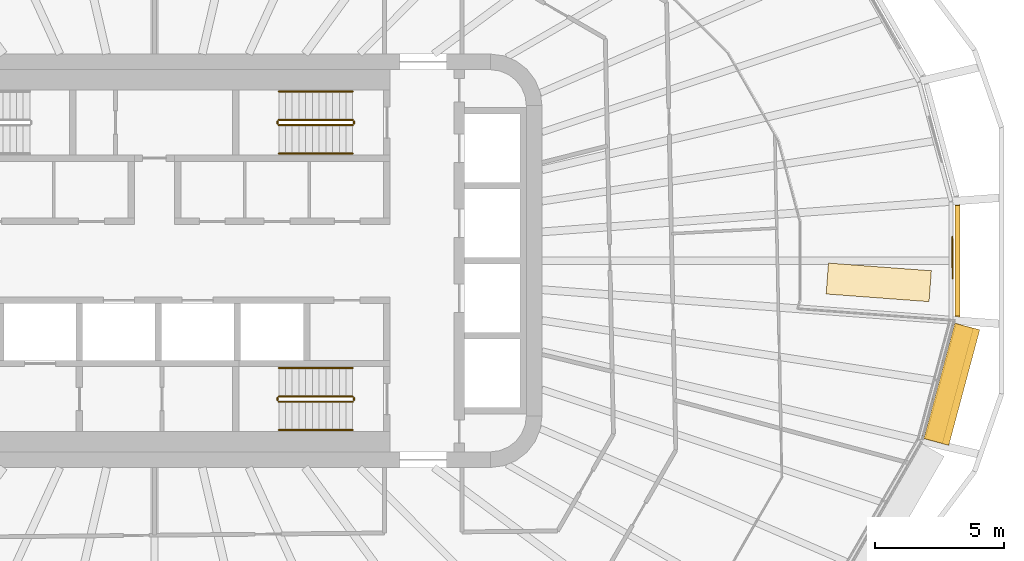
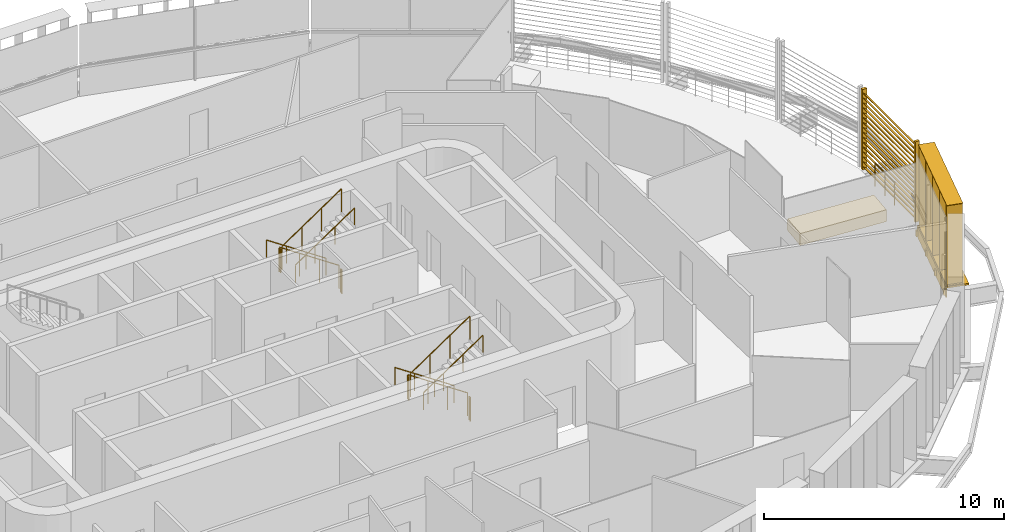
# One storey, part 22 of 24: 13 railings, 3 shading devices, 1 covering.
"""IFC4 building model written with IfcOpenShell, lengths in metres."""

from ifc_helpers import new_model, si_unit, direction, frame, origin, origin_2d, place, context, subcontext, project, spatial, rectangle, circle, extrude, material, type_object, element, save


model = new_model("IFC4")

# Units and contexts
model_context = context("Model", 3, precision=1e-05, world=origin(), true_north=direction((0.0, 1.0)))
body_context = subcontext(model_context, "Body", "Model", "MODEL_VIEW")
ifc_project = project(units=[si_unit("LENGTHUNIT", "METRE"), si_unit("AREAUNIT", "SQUARE_METRE"), si_unit("VOLUMEUNIT", "CUBIC_METRE"), si_unit("PLANEANGLEUNIT", "RADIAN"), si_unit("MASSUNIT", "GRAM", prefix="KILO")], contexts=[model_context])

# Site, building, storey
site_placement = place(None, origin())
site = spatial("IfcSite", under=ifc_project, at=site_placement, CompositionType="ELEMENT")
building_placement = place(site_placement, origin())
building = spatial("IfcBuilding", under=site, at=building_placement, Name="Sahrelin Media Tower", CompositionType="ELEMENT")
storey_placement = place(building_placement, frame((0.0, 0.0, 67.199951171875)))
storey = spatial("IfcBuildingStorey", under=building, at=storey_placement, Name="L11", CompositionType="ELEMENT", Elevation=67.199951171875)

# Shading devices
ifc_material_1 = material(Name="Champagne anodised aluminium 6063-T6", Category="aluminium")
shading_device_type_1 = type_object("IfcShadingDeviceType", Name="Fin cassette", PredefinedType="USERDEFINED", material=ifc_material_1)
placement = place(storey_placement, frame((30.3544921875, -4.642333984375, 0.0), z_axis=(0.0, 0.0, 1.0), x_axis=(-0.258807731996, -0.965928857556, 0.0)))
element("IfcShadingDevice", 1, at=placement, inside=storey, type_object=shading_device_type_1, Name="L11:FIN:L11-23", ObjectType="FIN", PredefinedType="USERDEFINED", context=body_context, shape_type="SweptSolid", body=[
    extrude(rectangle(XDim=4.60009765625, YDim=0.699951171875, at=origin_2d()), frame((0.0, 0.419921875, 0.0)), (0.0, 0.0, 1.0), 0.02001953125),
    extrude(rectangle(XDim=4.60009765625, YDim=0.699951171875, at=origin_2d()), frame((0.0, 0.419921875, 4.10009765625)), (0.0, 0.0, 1.0), 0.02001953125),
    extrude(rectangle(XDim=0.02001953125, YDim=0.699951171875, at=origin_2d()), frame((-2.199951171875, 0.419921875, 0.010009765625), z_axis=(0.0, 0.0, 1.0), x_axis=(1.0, 0.0, 0.0)), (0.0, 0.0, 1.0), 4.10009765625),
    extrude(rectangle(XDim=0.02001953125, YDim=0.699951171875, at=origin_2d()), frame((-1.10009765625, 0.419921875, 0.010009765625), z_axis=(0.0, 0.0, 1.0), x_axis=(1.0, 0.0, 0.0)), (0.0, 0.0, 1.0), 4.10009765625),
    extrude(rectangle(XDim=0.02001953125, YDim=0.699951171875, at=origin_2d()), frame((0.0, 0.419921875, 0.010009765625), z_axis=(0.0, 0.0, 1.0), x_axis=(1.0, 0.0, 0.0)), (0.0, 0.0, 1.0), 4.10009765625),
    extrude(rectangle(XDim=0.02001953125, YDim=0.699951171875, at=origin_2d()), frame((1.10009765625, 0.419921875, 0.010009765625), z_axis=(0.0, 0.0, 1.0), x_axis=(1.0, 0.0, 0.0)), (0.0, 0.0, 1.0), 4.10009765625),
    extrude(rectangle(XDim=0.02001953125, YDim=0.699951171875, at=origin_2d()), frame((2.199951171875, 0.419921875, 0.010009765625), z_axis=(0.0, 0.0, 1.0), x_axis=(1.0, 0.0, 0.0)), (0.0, 0.0, 1.0), 4.10009765625),
])
shading_device_type_2 = type_object("IfcShadingDeviceType", Name="Garden screen", PredefinedType="USERDEFINED", material=ifc_material_1)
shading_device_2_placement = place(storey_placement, frame((30.979736328125, 0.0, 0.0), z_axis=(0.0, 0.0, 1.0), x_axis=(0.0, -1.0, 0.0)))
element("IfcShadingDevice", 2, at=shading_device_2_placement, inside=storey, type_object=shading_device_type_2, Name="L11:SCREEN:L11-00", ObjectType="SCREEN", PredefinedType="USERDEFINED", context=body_context, shape_type="SweptSolid", body=[
    extrude(rectangle(XDim=0.1201171875, YDim=0.199951171875, at=origin_2d()), frame((2.19921875, 0.10009765625, 0.050048828125), z_axis=(0.0, 0.0, 1.0), x_axis=(1.0, 0.0, 0.0)), (0.0, 0.0, 1.0), 4.099853515625),
    extrude(rectangle(XDim=0.1201171875, YDim=0.199951171875, at=origin_2d()), frame((-2.19921875, 0.10009765625, 0.050048828125), z_axis=(0.0, 0.0, 1.0), x_axis=(1.0, 0.0, 0.0)), (0.0, 0.0, 1.0), 4.099853515625),
    extrude(rectangle(XDim=0.25, YDim=0.02001953125, at=origin_2d()), frame((2.139404296875, 0.10009765625, 0.14990234375), z_axis=(-1.0, 0.0, 0.0), x_axis=(0.0, -0.766044443119, 0.642787609687)), (0.0, 0.0, 1.0), 4.27880859375),
    extrude(rectangle(XDim=0.25, YDim=0.02001953125, at=origin_2d()), frame((2.139404296875, 0.10009765625, 0.39990234375), z_axis=(-1.0, 0.0, 0.0), x_axis=(0.0, -0.766044443119, 0.642787609687)), (0.0, 0.0, 1.0), 4.27880859375),
    extrude(rectangle(XDim=0.25, YDim=0.02001953125, at=origin_2d()), frame((2.139404296875, 0.10009765625, 0.64990234375), z_axis=(-1.0, 0.0, 0.0), x_axis=(0.0, -0.766044443119, 0.642787609687)), (0.0, 0.0, 1.0), 4.27880859375),
    extrude(rectangle(XDim=0.25, YDim=0.02001953125, at=origin_2d()), frame((2.139404296875, 0.10009765625, 0.89990234375), z_axis=(-1.0, 0.0, 0.0), x_axis=(0.0, -0.766044443119, 0.642787609687)), (0.0, 0.0, 1.0), 4.27880859375),
    extrude(rectangle(XDim=0.25, YDim=0.02001953125, at=origin_2d()), frame((2.139404296875, 0.10009765625, 1.14990234375), z_axis=(-1.0, 0.0, 0.0), x_axis=(0.0, -0.766044443119, 0.642787609687)), (0.0, 0.0, 1.0), 4.27880859375),
    extrude(rectangle(XDim=0.25, YDim=0.02001953125, at=origin_2d()), frame((2.139404296875, 0.10009765625, 1.39990234375), z_axis=(-1.0, 0.0, 0.0), x_axis=(0.0, -0.766044443119, 0.642787609687)), (0.0, 0.0, 1.0), 4.27880859375),
    extrude(rectangle(XDim=0.25, YDim=0.02001953125, at=origin_2d()), frame((2.139404296875, 0.10009765625, 1.64990234375), z_axis=(-1.0, 0.0, 0.0), x_axis=(0.0, -0.766044443119, 0.642787609687)), (0.0, 0.0, 1.0), 4.27880859375),
    extrude(rectangle(XDim=0.25, YDim=0.02001953125, at=origin_2d()), frame((2.139404296875, 0.10009765625, 1.89990234375), z_axis=(-1.0, 0.0, 0.0), x_axis=(0.0, -0.766044443119, 0.642787609687)), (0.0, 0.0, 1.0), 4.27880859375),
    extrude(rectangle(XDim=0.25, YDim=0.02001953125, at=origin_2d()), frame((2.139404296875, 0.10009765625, 2.14990234375), z_axis=(-1.0, 0.0, 0.0), x_axis=(0.0, -0.766044443119, 0.642787609687)), (0.0, 0.0, 1.0), 4.27880859375),
    extrude(rectangle(XDim=0.25, YDim=0.02001953125, at=origin_2d()), frame((2.139404296875, 0.10009765625, 2.39990234375), z_axis=(-1.0, 0.0, 0.0), x_axis=(0.0, -0.766044443119, 0.642787609687)), (0.0, 0.0, 1.0), 4.27880859375),
    extrude(rectangle(XDim=0.25, YDim=0.02001953125, at=origin_2d()), frame((2.139404296875, 0.10009765625, 2.64990234375), z_axis=(-1.0, 0.0, 0.0), x_axis=(0.0, -0.766044443119, 0.642787609687)), (0.0, 0.0, 1.0), 4.27880859375),
    extrude(rectangle(XDim=0.25, YDim=0.02001953125, at=origin_2d()), frame((2.139404296875, 0.10009765625, 2.89990234375), z_axis=(-1.0, 0.0, 0.0), x_axis=(0.0, -0.766044443119, 0.642787609687)), (0.0, 0.0, 1.0), 4.27880859375),
    extrude(rectangle(XDim=0.25, YDim=0.02001953125, at=origin_2d()), frame((2.139404296875, 0.10009765625, 3.14990234375), z_axis=(-1.0, 0.0, 0.0), x_axis=(0.0, -0.766044443119, 0.642787609687)), (0.0, 0.0, 1.0), 4.27880859375),
    extrude(rectangle(XDim=0.25, YDim=0.02001953125, at=origin_2d()), frame((2.139404296875, 0.10009765625, 3.39990234375), z_axis=(-1.0, 0.0, 0.0), x_axis=(0.0, -0.766044443119, 0.642787609687)), (0.0, 0.0, 1.0), 4.27880859375),
    extrude(rectangle(XDim=0.25, YDim=0.02001953125, at=origin_2d()), frame((2.139404296875, 0.10009765625, 3.64990234375), z_axis=(-1.0, 0.0, 0.0), x_axis=(0.0, -0.766044443119, 0.642787609687)), (0.0, 0.0, 1.0), 4.27880859375),
    extrude(rectangle(XDim=0.25, YDim=0.02001953125, at=origin_2d()), frame((2.139404296875, 0.10009765625, 3.89990234375), z_axis=(-1.0, 0.0, 0.0), x_axis=(0.0, -0.766044443119, 0.642787609687)), (0.0, 0.0, 1.0), 4.27880859375),
])

# Railing
ifc_material_2 = material(Name="Stainless steel 316", Category="steel")
railing_type_1 = type_object("IfcRailingType", Name="Sky garden guard", PredefinedType="GUARDRAIL", material=ifc_material_2)
railing_1_placement = place(storey_placement, frame((30.892578125, -0.687255859375, 0.0)))
element("IfcRailing", 3, at=railing_1_placement, inside=storey, type_object=railing_type_1, Name="Sky garden guard G1-1", PredefinedType="GUARDRAIL", context=body_context, shape_type="SweptSolid", body=[
    extrude(circle(Radius=0.02392578125, at=origin_2d()), frame((0.0, 0.0, 1.17578125), z_axis=(-0.008198934856, 0.999966388169, 0.0), x_axis=(-0.999966388169, -0.008198934856, 0.0)), (0.0, 0.0, 1.0), 1.60791015625),
    extrude(circle(Radius=0.02099609375, at=origin_2d()), origin(), (0.0, 0.0, 1.0), 1.15185546875),
    extrude(circle(Radius=0.02099609375, at=origin_2d()), frame((-0.006591796875, 0.803955078125, 0.0)), (0.0, 0.0, 1.0), 1.15185546875),
    extrude(circle(Radius=0.02099609375, at=origin_2d()), frame((-0.01318359375, 1.60791015625, 0.0)), (0.0, 0.0, 1.0), 1.15185546875),
])

# Covering
ifc_material_3 = material(Name="Planting and soil")
covering_type = type_object("IfcCoveringType", Name="Sky garden planter", PredefinedType="USERDEFINED", material=ifc_material_3)
covering_placement = place(storey_placement, frame((28.031005859375, -0.8359375, 0.0400390625), z_axis=(0.0, 0.0, 1.0), x_axis=(-0.997232955518, 0.074339978676, 0.0)))
element("IfcCovering", 4, at=covering_placement, inside=storey, type_object=covering_type, Name="Sky garden planter G1-2", ObjectType="PLANTER", PredefinedType="USERDEFINED", context=body_context, shape_type="SweptSolid", body=[
    extrude(rectangle(XDim=3.99267578125, YDim=1.199951171875, at=origin_2d()), origin(), (0.0, 0.0, 1.0), 0.60009765625),
])

# Railings
ifc_material_4 = material(Name="Steel S355", Category="steel")
railing_type_2 = type_object("IfcRailingType", Name="Stair guard 1200", PredefinedType="GUARDRAIL", material=ifc_material_4)
railing_2_placement = place(storey_placement, frame((7.675048828125, 5.449951171875, 0.175048828125)))
element("IfcRailing", 5, at=railing_2_placement, inside=storey, type_object=railing_type_2, Name="L11 ST3 stair guard 1", PredefinedType="GUARDRAIL", context=body_context, shape_type="SweptSolid", body=[
    extrude(circle(Radius=0.02392578125, at=origin_2d()), frame((0.0, 0.0, 1.17578125), z_axis=(-0.829590901723, 0.0, 0.558371682465), x_axis=(0.0, -1.0, 0.0)), (0.0, 0.0, 1.0), 3.447509765625),
    extrude(circle(Radius=0.02099609375, at=origin_2d()), origin(), (0.0, 0.0, 1.0), 1.15185546875),
    extrude(circle(Radius=0.02099609375, at=origin_2d()), frame((-0.953369140625, 0.0, 0.6416015625)), (0.0, 0.0, 1.0), 1.15185546875),
    extrude(circle(Radius=0.02099609375, at=origin_2d()), frame((-1.90673828125, 0.0, 1.283447265625)), (0.0, 0.0, 1.0), 1.15185546875),
    extrude(circle(Radius=0.02099609375, at=origin_2d()), frame((-2.860107421875, 0.0, 1.925048828125)), (0.0, 0.0, 1.0), 1.15185546875),
])
railing_3_placement = place(storey_placement, frame((4.764892578125, 5.39990234375, 2.10009765625)))
element("IfcRailing", 6, at=railing_3_placement, inside=storey, type_object=railing_type_2, Name="L11 ST3 stair guard 2", PredefinedType="GUARDRAIL", context=body_context, shape_type="SweptSolid", body=[
    extrude(circle(Radius=0.02392578125, at=origin_2d()), frame((0.0, 0.0, 1.17578125), z_axis=(0.0, -1.0, 0.0), x_axis=(1.0, 0.0, 0.0)), (0.0, 0.0, 1.0), 0.099853515625),
    extrude(circle(Radius=0.02099609375, at=origin_2d()), origin(), (0.0, 0.0, 1.0), 1.15185546875),
    extrude(circle(Radius=0.02099609375, at=origin_2d()), frame((0.0, -0.099853515625, 0.0)), (0.0, 0.0, 1.0), 1.15185546875),
])
railing_4_placement = place(storey_placement, frame((4.81494140625, 5.25, 2.275146484375)))
element("IfcRailing", 7, at=railing_4_placement, inside=storey, type_object=railing_type_2, Name="L11 ST3 stair guard 3", PredefinedType="GUARDRAIL", context=body_context, shape_type="SweptSolid", body=[
    extrude(circle(Radius=0.02392578125, at=origin_2d()), frame((0.0, 0.0, 1.17578125), z_axis=(0.829623704247, 0.0, 0.558322943601), x_axis=(0.0, 1.0, 0.0)), (0.0, 0.0, 1.0), 3.447509765625),
    extrude(circle(Radius=0.02099609375, at=origin_2d()), origin(), (0.0, 0.0, 1.0), 1.15185546875),
    extrude(circle(Radius=0.02099609375, at=origin_2d()), frame((0.953369140625, 0.0, 0.6416015625)), (0.0, 0.0, 1.0), 1.15185546875),
    extrude(circle(Radius=0.02099609375, at=origin_2d()), frame((1.90673828125, 0.0, 1.283203125)), (0.0, 0.0, 1.0), 1.15185546875),
    extrude(circle(Radius=0.02099609375, at=origin_2d()), frame((2.860107421875, 0.0, 1.9248046875)), (0.0, 0.0, 1.0), 1.15185546875),
])
railing_5_placement = place(storey_placement, frame((7.72509765625, 5.39990234375, 0.0)))
element("IfcRailing", 8, at=railing_5_placement, inside=storey, type_object=railing_type_2, Name="L11 ST3 stair guard 4", PredefinedType="GUARDRAIL", context=body_context, shape_type="SweptSolid", body=[
    extrude(circle(Radius=0.02392578125, at=origin_2d()), frame((0.0, 0.0, 1.17578125), z_axis=(0.0, -1.0, 0.0), x_axis=(1.0, 0.0, 0.0)), (0.0, 0.0, 1.0), 0.099853515625),
    extrude(circle(Radius=0.02099609375, at=origin_2d()), origin(), (0.0, 0.0, 1.0), 1.15185546875),
    extrude(circle(Radius=0.02099609375, at=origin_2d()), frame((0.0, -0.099853515625, 0.0)), (0.0, 0.0, 1.0), 1.15185546875),
])
railing_6_placement = place(storey_placement, frame((7.675048828125, -5.25, 0.175048828125)))
element("IfcRailing", 9, at=railing_6_placement, inside=storey, type_object=railing_type_2, Name="L11 ST2 stair guard 1", PredefinedType="GUARDRAIL", context=body_context, shape_type="SweptSolid", body=[
    extrude(circle(Radius=0.02392578125, at=origin_2d()), frame((0.0, 0.0, 1.17578125), z_axis=(-0.829590901723, 0.0, 0.558371682465), x_axis=(0.0, -1.0, 0.0)), (0.0, 0.0, 1.0), 3.447509765625),
    extrude(circle(Radius=0.02099609375, at=origin_2d()), origin(), (0.0, 0.0, 1.0), 1.15185546875),
    extrude(circle(Radius=0.02099609375, at=origin_2d()), frame((-0.953369140625, 0.0, 0.6416015625)), (0.0, 0.0, 1.0), 1.15185546875),
    extrude(circle(Radius=0.02099609375, at=origin_2d()), frame((-1.90673828125, 0.0, 1.283447265625)), (0.0, 0.0, 1.0), 1.15185546875),
    extrude(circle(Radius=0.02099609375, at=origin_2d()), frame((-2.860107421875, 0.0, 1.925048828125)), (0.0, 0.0, 1.0), 1.15185546875),
])
railing_7_placement = place(storey_placement, frame((4.764892578125, -5.300048828125, 2.10009765625)))
element("IfcRailing", 10, at=railing_7_placement, inside=storey, type_object=railing_type_2, Name="L11 ST2 stair guard 2", PredefinedType="GUARDRAIL", context=body_context, shape_type="SweptSolid", body=[
    extrude(circle(Radius=0.02392578125, at=origin_2d()), frame((0.0, 0.0, 1.17578125), z_axis=(0.0, -1.0, 0.0), x_axis=(1.0, 0.0, 0.0)), (0.0, 0.0, 1.0), 0.099853515625),
    extrude(circle(Radius=0.02099609375, at=origin_2d()), origin(), (0.0, 0.0, 1.0), 1.15185546875),
    extrude(circle(Radius=0.02099609375, at=origin_2d()), frame((0.0, -0.099853515625, 0.0)), (0.0, 0.0, 1.0), 1.15185546875),
])
railing_8_placement = place(storey_placement, frame((4.81494140625, -5.449951171875, 2.275146484375)))
element("IfcRailing", 11, at=railing_8_placement, inside=storey, type_object=railing_type_2, Name="L11 ST2 stair guard 3", PredefinedType="GUARDRAIL", context=body_context, shape_type="SweptSolid", body=[
    extrude(circle(Radius=0.02392578125, at=origin_2d()), frame((0.0, 0.0, 1.17578125), z_axis=(0.829623704247, 0.0, 0.558322943601), x_axis=(0.0, 1.0, 0.0)), (0.0, 0.0, 1.0), 3.447509765625),
    extrude(circle(Radius=0.02099609375, at=origin_2d()), origin(), (0.0, 0.0, 1.0), 1.15185546875),
    extrude(circle(Radius=0.02099609375, at=origin_2d()), frame((0.953369140625, 0.0, 0.6416015625)), (0.0, 0.0, 1.0), 1.15185546875),
    extrude(circle(Radius=0.02099609375, at=origin_2d()), frame((1.90673828125, 0.0, 1.283203125)), (0.0, 0.0, 1.0), 1.15185546875),
    extrude(circle(Radius=0.02099609375, at=origin_2d()), frame((2.860107421875, 0.0, 1.9248046875)), (0.0, 0.0, 1.0), 1.15185546875),
])
railing_9_placement = place(storey_placement, frame((7.72509765625, -5.300048828125, 0.0)))
element("IfcRailing", 12, at=railing_9_placement, inside=storey, type_object=railing_type_2, Name="L11 ST2 stair guard 4", PredefinedType="GUARDRAIL", context=body_context, shape_type="SweptSolid", body=[
    extrude(circle(Radius=0.02392578125, at=origin_2d()), frame((0.0, 0.0, 1.17578125), z_axis=(0.0, -1.0, 0.0), x_axis=(1.0, 0.0, 0.0)), (0.0, 0.0, 1.0), 0.099853515625),
    extrude(circle(Radius=0.02099609375, at=origin_2d()), origin(), (0.0, 0.0, 1.0), 1.15185546875),
    extrude(circle(Radius=0.02099609375, at=origin_2d()), frame((0.0, -0.099853515625, 0.0)), (0.0, 0.0, 1.0), 1.15185546875),
])
railing_type_3 = type_object("IfcRailingType", Name="Stair handrail 900", PredefinedType="HANDRAIL", material=ifc_material_4)
railing_10_placement = place(storey_placement, frame((7.675048828125, 6.550048828125, 0.175048828125)))
element("IfcRailing", 13, at=railing_10_placement, inside=storey, type_object=railing_type_3, Name="L11 ST3 stair handrail 1", PredefinedType="HANDRAIL", context=body_context, shape_type="SweptSolid", body=[
    extrude(circle(Radius=0.02392578125, at=origin_2d()), frame((0.0, 0.0, 0.8759765625), z_axis=(-0.829590901723, 0.0, 0.558371682465), x_axis=(0.0, -1.0, 0.0)), (0.0, 0.0, 1.0), 3.447509765625),
    extrude(circle(Radius=0.02099609375, at=origin_2d()), origin(), (0.0, 0.0, 1.0), 0.851806640625),
    extrude(circle(Radius=0.02099609375, at=origin_2d()), frame((-0.953369140625, 0.0, 0.6416015625)), (0.0, 0.0, 1.0), 0.851806640625),
    extrude(circle(Radius=0.02099609375, at=origin_2d()), frame((-1.90673828125, 0.0, 1.283447265625)), (0.0, 0.0, 1.0), 0.851806640625),
    extrude(circle(Radius=0.02099609375, at=origin_2d()), frame((-2.860107421875, 0.0, 1.925048828125)), (0.0, 0.0, 1.0), 0.851806640625),
])
railing_11_placement = place(storey_placement, frame((4.81494140625, 4.14990234375, 2.275146484375)))
element("IfcRailing", 14, at=railing_11_placement, inside=storey, type_object=railing_type_3, Name="L11 ST3 stair handrail 2", PredefinedType="HANDRAIL", context=body_context, shape_type="SweptSolid", body=[
    extrude(circle(Radius=0.02392578125, at=origin_2d()), frame((0.0, 0.0, 0.8759765625), z_axis=(0.829623704247, 0.0, 0.558322943601), x_axis=(0.0, 1.0, 0.0)), (0.0, 0.0, 1.0), 3.447509765625),
    extrude(circle(Radius=0.02099609375, at=origin_2d()), origin(), (0.0, 0.0, 1.0), 0.851806640625),
    extrude(circle(Radius=0.02099609375, at=origin_2d()), frame((0.953369140625, 0.0, 0.6416015625)), (0.0, 0.0, 1.0), 0.851806640625),
    extrude(circle(Radius=0.02099609375, at=origin_2d()), frame((1.90673828125, 0.0, 1.283203125)), (0.0, 0.0, 1.0), 0.851806640625),
    extrude(circle(Radius=0.02099609375, at=origin_2d()), frame((2.860107421875, 0.0, 1.9248046875)), (0.0, 0.0, 1.0), 0.851806640625),
])
railing_12_placement = place(storey_placement, frame((7.675048828125, -4.14990234375, 0.175048828125)))
element("IfcRailing", 15, at=railing_12_placement, inside=storey, type_object=railing_type_3, Name="L11 ST2 stair handrail 1", PredefinedType="HANDRAIL", context=body_context, shape_type="SweptSolid", body=[
    extrude(circle(Radius=0.02392578125, at=origin_2d()), frame((0.0, 0.0, 0.8759765625), z_axis=(-0.829590901723, 0.0, 0.558371682465), x_axis=(0.0, -1.0, 0.0)), (0.0, 0.0, 1.0), 3.447509765625),
    extrude(circle(Radius=0.02099609375, at=origin_2d()), origin(), (0.0, 0.0, 1.0), 0.851806640625),
    extrude(circle(Radius=0.02099609375, at=origin_2d()), frame((-0.953369140625, 0.0, 0.6416015625)), (0.0, 0.0, 1.0), 0.851806640625),
    extrude(circle(Radius=0.02099609375, at=origin_2d()), frame((-1.90673828125, 0.0, 1.283447265625)), (0.0, 0.0, 1.0), 0.851806640625),
    extrude(circle(Radius=0.02099609375, at=origin_2d()), frame((-2.860107421875, 0.0, 1.925048828125)), (0.0, 0.0, 1.0), 0.851806640625),
])
railing_13_placement = place(storey_placement, frame((4.81494140625, -6.550048828125, 2.275146484375)))
element("IfcRailing", 16, at=railing_13_placement, inside=storey, type_object=railing_type_3, Name="L11 ST2 stair handrail 2", PredefinedType="HANDRAIL", context=body_context, shape_type="SweptSolid", body=[
    extrude(circle(Radius=0.02392578125, at=origin_2d()), frame((0.0, 0.0, 0.8759765625), z_axis=(0.829623704247, 0.0, 0.558322943601), x_axis=(0.0, 1.0, 0.0)), (0.0, 0.0, 1.0), 3.447509765625),
    extrude(circle(Radius=0.02099609375, at=origin_2d()), origin(), (0.0, 0.0, 1.0), 0.851806640625),
    extrude(circle(Radius=0.02099609375, at=origin_2d()), frame((0.953369140625, 0.0, 0.6416015625)), (0.0, 0.0, 1.0), 0.851806640625),
    extrude(circle(Radius=0.02099609375, at=origin_2d()), frame((1.90673828125, 0.0, 1.283203125)), (0.0, 0.0, 1.0), 0.851806640625),
    extrude(circle(Radius=0.02099609375, at=origin_2d()), frame((2.860107421875, 0.0, 1.9248046875)), (0.0, 0.0, 1.0), 0.851806640625),
])

# Shading device
shading_device_type_3 = type_object("IfcShadingDeviceType", Name="Sunshade band", PredefinedType="USERDEFINED", material=ifc_material_1)
element("IfcShadingDevice", 17, at=placement, inside=storey, type_object=shading_device_type_3, Name="L11:SUN:L11-23", ObjectType="SUNSHADE", PredefinedType="USERDEFINED", context=body_context, shape_type="SweptSolid", body=[
    extrude(rectangle(XDim=4.630859375, YDim=0.050048828125, at=origin_2d()), frame((0.0, 0.044921875, -0.55126953125)), (0.0, 0.0, 1.0), 0.471435546875),
    extrude(rectangle(XDim=4.630859375, YDim=1.0, at=origin_2d()), frame((0.0, 0.52001953125, -0.080078125)), (0.0, 0.0, 1.0), 0.080078125),
    extrude(rectangle(XDim=0.10009765625, YDim=0.074951171875, at=origin_2d()), frame((-2.21533203125, -0.017578125, -0.47021484375)), (0.0, 0.0, 1.0), 0.300048828125),
    extrude(rectangle(XDim=0.10009765625, YDim=0.074951171875, at=origin_2d()), frame((-0.738525390625, -0.017578125, -0.47021484375)), (0.0, 0.0, 1.0), 0.300048828125),
    extrude(rectangle(XDim=0.10009765625, YDim=0.074951171875, at=origin_2d()), frame((0.738525390625, -0.017578125, -0.47021484375)), (0.0, 0.0, 1.0), 0.300048828125),
    extrude(rectangle(XDim=0.10009765625, YDim=0.074951171875, at=origin_2d()), frame((2.21533203125, -0.017578125, -0.47021484375)), (0.0, 0.0, 1.0), 0.300048828125),
])

save(model, "model.ifc")
